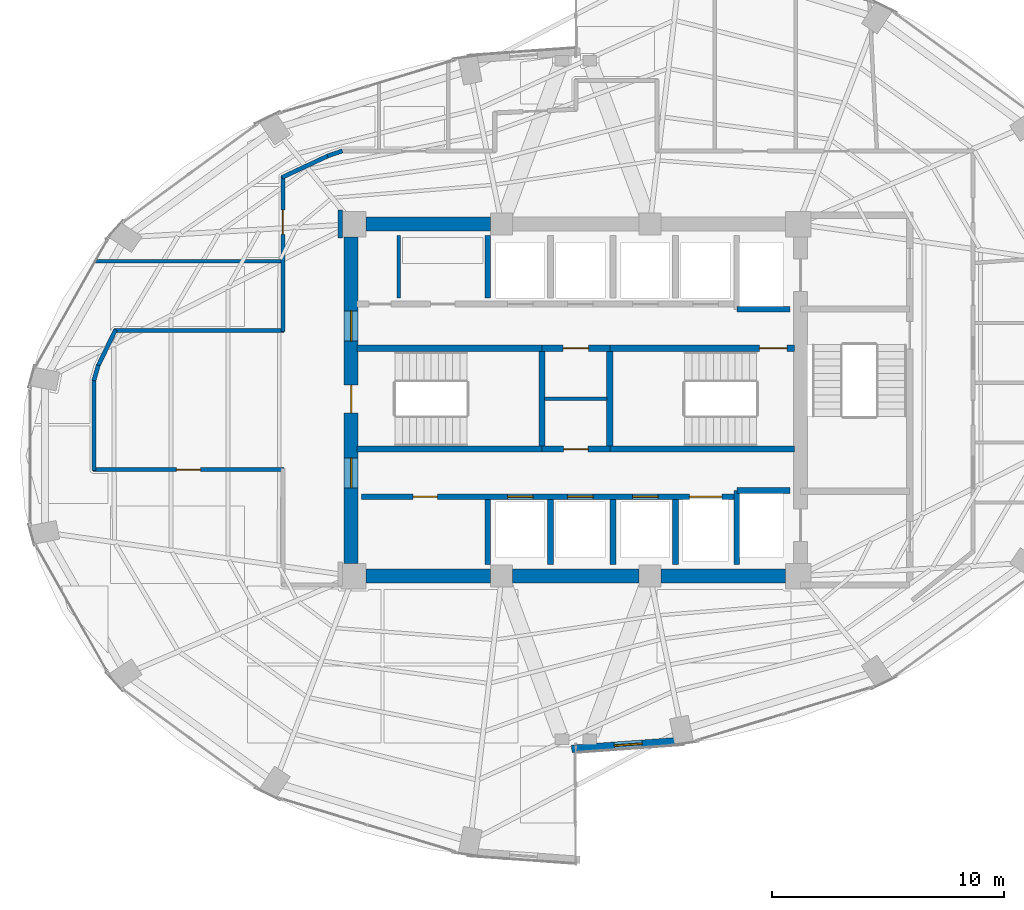
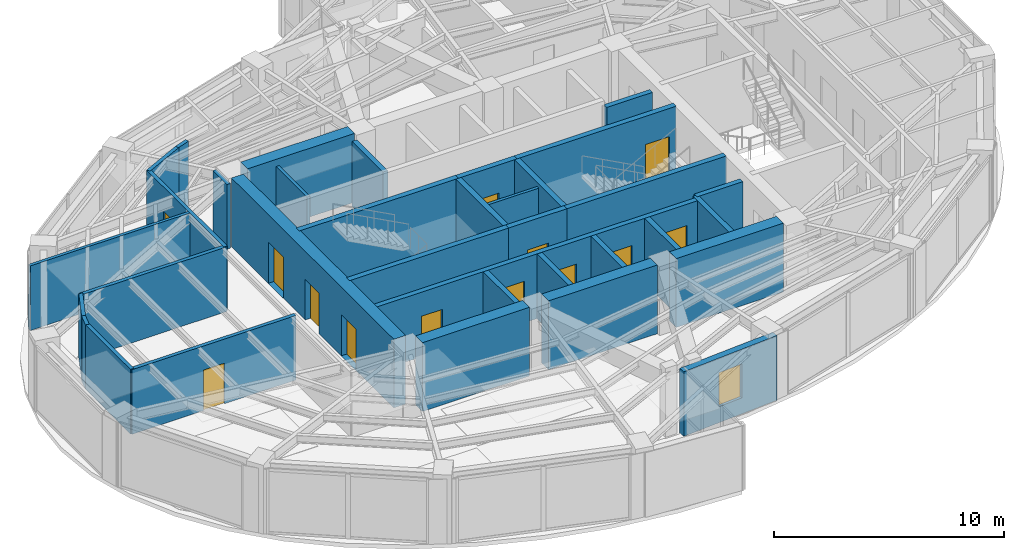
# One storey, part 16 of 20: 35 walls, 13 doors, 1 window, 14 openings.
"""IFC4 building model written with IfcOpenShell, lengths in metres."""

from ifc_helpers import new_model, si_unit, direction, frame, frame_2d, origin, place, context, subcontext, project, spatial, rectangle, extrude, material, layer, layer_set, type_object, element, fill, save


model = new_model("IFC4")

# Units and contexts
model_context = context("Model", 3, precision=1e-05, world=origin(), true_north=direction((0.0, 1.0)))
body_context = subcontext(model_context, "Body", "Model", "MODEL_VIEW")
ifc_project = project(units=[si_unit("LENGTHUNIT", "METRE"), si_unit("AREAUNIT", "SQUARE_METRE"), si_unit("VOLUMEUNIT", "CUBIC_METRE"), si_unit("PLANEANGLEUNIT", "RADIAN"), si_unit("MASSUNIT", "GRAM", prefix="KILO")], contexts=[model_context])

# Site, building, storey
site_placement = place(None, origin())
site = spatial("IfcSite", under=ifc_project, at=site_placement, CompositionType="ELEMENT")
building_placement = place(site_placement, origin())
building = spatial("IfcBuilding", under=site, at=building_placement, Name="Lazwardi Medical Tower", CompositionType="ELEMENT")
storey_placement = place(building_placement, frame((0.0, 0.0, 156.528076171875)))
storey = spatial("IfcBuildingStorey", under=building, at=storey_placement, Name="L40", CompositionType="ELEMENT", Elevation=156.528076171875)

# Walls
ifc_material_1 = material(Name="Fire-rated gypsum board on steel stud", Category="steel")
ifc_layer_1 = layer(ifc_material_1, 0.179931640625)
ifc_layer_set_1 = layer_set([ifc_layer_1], Name="Fire-rated gypsum board on steel stud")
wall_type_1 = type_object("IfcWallType", Name="WL-COR-180", PredefinedType="PARTITIONING", material=ifc_layer_set_1)
wall_1_placement = place(storey_placement, frame((15.350341796875, 29.435791015625, 0.0), z_axis=(0.0, 0.0, 1.0), x_axis=(0.436196025907, 0.899851669434, 0.0)))
element("IfcWall", 1, at=wall_1_placement, inside=storey, type_object=wall_type_1, Name="L40 Corridor partition 1", PredefinedType="PARTITIONING", context=body_context, shape_type="SweptSolid", body=[
    extrude(rectangle(XDim=1.778076171875, YDim=0.179931640625, at=frame_2d((0.88916015625, 0.0))), origin(), (0.0, 0.0, 1.0), 3.427978515625),
])
wall_2_placement = place(storey_placement, frame((16.068359375, 31.0, 0.0), z_axis=(0.0, 0.0, 1.0), x_axis=(1.0, 0.0, 0.0)))
element("IfcWall", 2, at=wall_2_placement, inside=storey, type_object=wall_type_1, Name="L40 Corridor partition 2", PredefinedType="PARTITIONING", context=body_context, shape_type="SweptSolid", body=[
    extrude(rectangle(XDim=7.321533203125, YDim=0.179931640625, at=frame_2d((3.66064453125, 0.0))), origin(), (0.0, 0.0, 1.0), 3.427978515625),
])

# Wall, opening, door
wall_3_placement = place(storey_placement, frame((23.35009765625, 30.9599609375, 0.0), z_axis=(0.0, 0.0, 1.0), x_axis=(0.0, 1.0, 0.0)))
wall_3 = element("IfcWall", 3, at=wall_3_placement, inside=storey, type_object=wall_type_1, Name="L40 Corridor partition 3", PredefinedType="PARTITIONING", context=body_context, shape_type="SweptSolid", body=[
    extrude(rectangle(XDim=6.7138671875, YDim=0.179931640625, at=frame_2d((3.35693359375, 0.0))), origin(), (0.0, 0.0, 1.0), 3.427978515625),
])
opening_1_placement = place(wall_3_placement, frame((4.19287109375, 0.0, 0.0)))
opening_1 = element("IfcOpeningElement", 4, at=opening_1_placement, cuts=wall_3, Name="Opening D-L40-020", PredefinedType="OPENING", context=body_context, shape_type="SweptSolid", body=[
    extrude(rectangle(XDim=1.050048828125, YDim=2.14990234375, at=frame_2d((0.52490234375, 1.074951171875))), frame((0.0, 0.099853515625, 0.0), z_axis=(0.0, -1.0, 0.0), x_axis=(1.0, 0.0, 0.0)), (0.0, 0.0, 1.0), 0.199951171875),
])
ifc_material_2 = material(Name="Anti-microbial laminate hospital leaf")
door_type_1 = type_object("IfcDoorType", Name="DR-CLN-1050", OperationType="NOTDEFINED", PredefinedType="DOOR", material=ifc_material_2)
door_1_placement = place(opening_1_placement, origin())
door_1 = element("IfcDoor", 5, at=door_1_placement, inside=storey, type_object=door_type_1, Name="L40 Outpatient Consultation Suite Door 11", OperationType="SINGLE_SWING_RIGHT", OverallHeight=2.14990234375, OverallWidth=1.050048828125, PredefinedType="DOOR", context=body_context, shape_type="SweptSolid", body=[
    extrude(rectangle(XDim=1.050048828125, YDim=2.14990234375, at=frame_2d((0.52490234375, 1.074951171875))), frame((0.0, 0.02490234375, 0.0), z_axis=(0.0, -1.0, 0.0), x_axis=(1.0, 0.0, 0.0)), (0.0, 0.0, 1.0), 0.050048828125),
])
fill(opening_1, door_1)

# Walls
wall_4_placement = place(storey_placement, frame((23.313720703125, 37.616943359375, 0.0), z_axis=(0.0, 0.0, 1.0), x_axis=(0.905731790856, 0.423851298255, 0.0)))
element("IfcWall", 6, at=wall_4_placement, inside=storey, type_object=wall_type_1, Name="L40 Corridor partition 4", PredefinedType="PARTITIONING", context=body_context, shape_type="SweptSolid", body=[
    extrude(rectangle(XDim=2.255126953125, YDim=0.179931640625, at=frame_2d((1.12744140625, 0.0))), origin(), (0.0, 0.0, 1.0), 3.427978515625),
])
wall_5_placement = place(storey_placement, frame((25.2822265625, 38.54248046875, 0.0), z_axis=(0.0, 0.0, 1.0), x_axis=(0.94508059942, 0.326837361085, 0.0)))
element("IfcWall", 7, at=wall_5_placement, inside=storey, type_object=wall_type_1, Name="L40 Corridor partition 5", PredefinedType="PARTITIONING", context=body_context, shape_type="SweptSolid", body=[
    extrude(rectangle(XDim=0.67529296875, YDim=0.179931640625, at=frame_2d((0.337646484375, 0.0))), origin(), (0.0, 0.0, 1.0), 3.427978515625),
])
wall_6_placement = place(storey_placement, frame((25.830078125, 36.2099609375, 0.0), z_axis=(0.0, 0.0, 1.0), x_axis=(0.0, -1.0, 0.0)))
element("IfcWall", 8, at=wall_6_placement, inside=storey, type_object=wall_type_1, Name="L40 Corridor partition 15", PredefinedType="PARTITIONING", context=body_context, shape_type="SweptSolid", body=[
    extrude(rectangle(XDim=1.219970703125, YDim=0.179931640625, at=frame_2d((0.60986328125, 0.0))), origin(), (0.0, 0.0, 1.0), 3.427978515625),
])

# Wall, opening, door
wall_7_placement = place(storey_placement, frame((23.389892578125, 25.0, 0.0), z_axis=(0.0, 0.0, 1.0), x_axis=(-1.0, 0.0, 0.0)))
wall_7 = element("IfcWall", 9, at=wall_7_placement, inside=storey, type_object=wall_type_1, Name="L40 Corridor partition 19", PredefinedType="PARTITIONING", context=body_context, shape_type="SweptSolid", body=[
    extrude(rectangle(XDim=8.22998046875, YDim=0.179931640625, at=frame_2d((4.114990234375, 0.0))), origin(), (0.0, 0.0, 1.0), 3.427978515625),
])
opening_2_placement = place(wall_7_placement, frame((3.590087890625, 0.0, 0.0)))
opening_2 = element("IfcOpeningElement", 10, at=opening_2_placement, cuts=wall_7, Name="Opening D-L40-010", PredefinedType="OPENING", context=body_context, shape_type="SweptSolid", body=[
    extrude(rectangle(XDim=1.050048828125, YDim=2.14990234375, at=frame_2d((0.52490234375, 1.074951171875))), frame((0.0, 0.099853515625, 0.0), z_axis=(0.0, -1.0, 0.0), x_axis=(1.0, 0.0, 0.0)), (0.0, 0.0, 1.0), 0.199951171875),
])
door_2_placement = place(opening_2_placement, origin())
door_2 = element("IfcDoor", 11, at=door_2_placement, inside=storey, type_object=door_type_1, Name="L40 Outpatient Consultation Suite Door 01", OperationType="SINGLE_SWING_RIGHT", OverallHeight=2.14990234375, OverallWidth=1.050048828125, PredefinedType="DOOR", context=body_context, shape_type="SweptSolid", body=[
    extrude(rectangle(XDim=1.050048828125, YDim=2.14990234375, at=frame_2d((0.52490234375, 1.074951171875))), frame((0.0, 0.02490234375, 0.0), z_axis=(0.0, -1.0, 0.0), x_axis=(1.0, 0.0, 0.0)), (0.0, 0.0, 1.0), 0.050048828125),
])
fill(opening_2, door_2)

# Walls
wall_8_placement = place(storey_placement, frame((15.199951171875, 24.9599609375, 0.0), z_axis=(0.0, 0.0, 1.0), x_axis=(0.0, 1.0, 0.0)))
element("IfcWall", 12, at=wall_8_placement, inside=storey, type_object=wall_type_1, Name="L40 Corridor partition 20", PredefinedType="PARTITIONING", context=body_context, shape_type="SweptSolid", body=[
    extrude(rectangle(XDim=3.961181640625, YDim=0.179931640625, at=frame_2d((1.98046875, 0.0))), origin(), (0.0, 0.0, 1.0), 3.427978515625),
])
wall_9_placement = place(storey_placement, frame((15.189208984375, 28.842529296875, 0.0), z_axis=(0.0, 0.0, 1.0), x_axis=(0.272862960331, 0.962052911684, 0.0)))
element("IfcWall", 13, at=wall_9_placement, inside=storey, type_object=wall_type_1, Name="L40 Corridor partition 21", PredefinedType="PARTITIONING", context=body_context, shape_type="SweptSolid", body=[
    extrude(rectangle(XDim=0.6943359375, YDim=0.179931640625, at=frame_2d((0.34716796875, 0.0))), origin(), (0.0, 0.0, 1.0), 3.427978515625),
])

# Wall, openings, doors
ifc_material_3 = material(Name="Concrete C60/75", Category="concrete")
ifc_layer_2 = layer(ifc_material_3, 0.60009765625)
ifc_layer_set_2 = layer_set([ifc_layer_2], Name="Concrete C60/75")
wall_type_2 = type_object("IfcWallType", Name="WL-CORE-600", PredefinedType="SHEAR", material=ifc_layer_set_2)
wall_10_placement = place(storey_placement, frame((26.300048828125, 20.949951171875, 0.0), z_axis=(0.0, 0.0, 1.0), x_axis=(0.0, 1.0, 0.0)))
wall_10 = element("IfcWall", 14, at=wall_10_placement, inside=storey, type_object=wall_type_2, Name="Core wall CW-S3 west L40", PredefinedType="SHEAR", context=body_context, shape_type="SweptSolid", body=[
    extrude(rectangle(XDim=14.10009765625, YDim=0.60009765625, at=frame_2d((7.050048828125, 0.0))), origin(), (0.0, 0.0, 1.0), 3.64794921875),
])
opening_3_placement = place(wall_10_placement, frame((6.5, 0.0, 0.0)))
opening_3 = element("IfcOpeningElement", 15, at=opening_3_placement, cuts=wall_10, Name="Opening D-L40-021", PredefinedType="OPENING", context=body_context, shape_type="SweptSolid", body=[
    extrude(rectangle(XDim=1.199951171875, YDim=2.14990234375, at=frame_2d((0.60009765625, 1.074951171875))), frame((0.0, 0.31005859375, 0.0), z_axis=(0.0, -1.0, 0.0), x_axis=(1.0, 0.0, 0.0)), (0.0, 0.0, 1.0), 0.6201171875),
])
opening_4_placement = place(wall_10_placement, frame((9.60009765625, 0.0, 0.0)))
opening_4 = element("IfcOpeningElement", 16, at=opening_4_placement, cuts=wall_10, Name="Opening D-L40-008", PredefinedType="OPENING", context=body_context, shape_type="SweptSolid", body=[
    extrude(rectangle(XDim=1.300048828125, YDim=2.199951171875, at=frame_2d((0.64990234375, 1.10009765625))), frame((0.0, 0.31005859375, 0.0), z_axis=(0.0, -1.0, 0.0), x_axis=(1.0, 0.0, 0.0)), (0.0, 0.0, 1.0), 0.6201171875),
])
opening_5_placement = place(wall_10_placement, frame((3.260009765625, 0.0, 0.0)))
opening_5 = element("IfcOpeningElement", 17, at=opening_5_placement, cuts=wall_10, Name="Opening D-L40-009", PredefinedType="OPENING", context=body_context, shape_type="SweptSolid", body=[
    extrude(rectangle(XDim=1.300048828125, YDim=2.199951171875, at=frame_2d((0.64990234375, 1.10009765625))), frame((0.0, 0.31005859375, 0.0), z_axis=(0.0, -1.0, 0.0), x_axis=(1.0, 0.0, 0.0)), (0.0, 0.0, 1.0), 0.6201171875),
])
ifc_material_4 = material(Name="Fire-rated steel leaf and frame", Category="steel")
door_type_2 = type_object("IfcDoorType", Name="DR-FFL-1300", OperationType="NOTDEFINED", PredefinedType="DOOR", material=ifc_material_4)
door_3_placement = place(opening_4_placement, origin())
door_3 = element("IfcDoor", 18, at=door_3_placement, inside=storey, type_object=door_type_2, Name="L40 North Lift Lobby Door", OperationType="SINGLE_SWING_RIGHT", OverallHeight=2.199951171875, OverallWidth=1.300048828125, PredefinedType="DOOR", context=body_context, shape_type="SweptSolid", body=[
    extrude(rectangle(XDim=1.300048828125, YDim=2.199951171875, at=frame_2d((0.64990234375, 1.10009765625))), frame((0.0, 0.02490234375, 0.0), z_axis=(0.0, -1.0, 0.0), x_axis=(1.0, 0.0, 0.0)), (0.0, 0.0, 1.0), 0.050048828125),
])
fill(opening_4, door_3)
door_4_placement = place(opening_5_placement, origin())
door_4 = element("IfcDoor", 19, at=door_4_placement, inside=storey, type_object=door_type_2, Name="L40 South Lift Lobby Door", OperationType="SINGLE_SWING_LEFT", OverallHeight=2.199951171875, OverallWidth=1.300048828125, PredefinedType="DOOR", context=body_context, shape_type="SweptSolid", body=[
    extrude(rectangle(XDim=1.300048828125, YDim=2.199951171875, at=frame_2d((0.64990234375, 1.10009765625))), frame((0.0, 0.02490234375, 0.0), z_axis=(0.0, -1.0, 0.0), x_axis=(1.0, 0.0, 0.0)), (0.0, 0.0, 1.0), 0.050048828125),
])
fill(opening_5, door_4)
door_type_3 = type_object("IfcDoorType", Name="DR-STR-1200", OperationType="NOTDEFINED", PredefinedType="DOOR", material=ifc_material_4)
door_5_placement = place(opening_3_placement, origin())
door_5 = element("IfcDoor", 20, at=door_5_placement, inside=storey, type_object=door_type_3, Name="L40 Exit Stair ST1 Door", OperationType="SINGLE_SWING_RIGHT", OverallHeight=2.14990234375, OverallWidth=1.199951171875, PredefinedType="DOOR", context=body_context, shape_type="SweptSolid", body=[
    extrude(rectangle(XDim=1.199951171875, YDim=2.14990234375, at=frame_2d((0.60009765625, 1.074951171875))), frame((0.0, 0.02490234375, 0.0), z_axis=(0.0, -1.0, 0.0), x_axis=(1.0, 0.0, 0.0)), (0.0, 0.0, 1.0), 0.050048828125),
])
fill(opening_3, door_5)

# Walls
for number, where, z_axis, x_axis, name in (
    (21, (26.949951171875, 20.39990234375, 0.0), (0.0, 0.0, 1.0), (1.0, 0.0, 0.0), "Core wall CW-S3 S1 L40"),
    (22, (26.949951171875, 35.60009765625, 0.0), (0.0, 0.0, 1.0), (1.0, 0.0, 0.0), "Core wall CW-S3 N1 L40"),
):
    element("IfcWall", number, at=place(storey_placement, frame(where, z_axis=z_axis, x_axis=x_axis)), inside=storey, type_object=wall_type_2, Name=name, PredefinedType="SHEAR", context=body_context, shape_type="SweptSolid", body=[
        extrude(rectangle(XDim=5.375, YDim=0.60009765625, at=frame_2d((2.6875, 0.0))), origin(), (0.0, 0.0, 1.0), 3.64794921875),
    ])
wall_11_placement = place(storey_placement, frame((33.27490234375, 20.39990234375, 0.0), z_axis=(0.0, 0.0, 1.0), x_axis=(1.0, 0.0, 0.0)))
element("IfcWall", 23, at=wall_11_placement, inside=storey, type_object=wall_type_2, Name="Core wall CW-S3 S2 L40", PredefinedType="SHEAR", context=body_context, shape_type="SweptSolid", body=[
    extrude(rectangle(XDim=5.4501953125, YDim=0.60009765625, at=frame_2d((2.72509765625, 0.0))), origin(), (0.0, 0.0, 1.0), 3.64794921875),
])
wall_12_placement = place(storey_placement, frame((39.675048828125, 20.39990234375, 0.0), z_axis=(0.0, 0.0, 1.0), x_axis=(1.0, 0.0, 0.0)))
element("IfcWall", 24, at=wall_12_placement, inside=storey, type_object=wall_type_2, Name="Core wall CW-S3 S3 L40", PredefinedType="SHEAR", context=body_context, shape_type="SweptSolid", body=[
    extrude(rectangle(XDim=5.375, YDim=0.60009765625, at=frame_2d((2.6875, 0.0))), origin(), (0.0, 0.0, 1.0), 3.64794921875),
])

# Wall, opening, window
ifc_material_5 = material(Name="Precast concrete C45/55", Category="concrete")
ifc_layer_3 = layer(ifc_material_5, 0.320068359375)
ifc_layer_set_3 = layer_set([ifc_layer_3], Name="Precast concrete C45/55")
wall_type_3 = type_object("IfcWallType", Name="WL-IWAN-320", PredefinedType="SOLIDWALL", material=ifc_layer_set_3)
wall_13_placement = place(storey_placement, frame((35.820556640625, 12.947021484375, 0.0), z_axis=(0.0, 0.0, 1.0), x_axis=(0.997415460462, 0.071849838072, 0.0)))
wall_13 = element("IfcWall", 25, at=wall_13_placement, inside=storey, type_object=wall_type_3, Name="L40 Iwan Portal Return Wall SE_ret", PredefinedType="SOLIDWALL", context=body_context, shape_type="SweptSolid", body=[
    extrude(rectangle(XDim=4.89306640625, YDim=0.320068359375, at=frame_2d((2.446533203125, 0.0))), origin(), (0.0, 0.0, 1.0), 3.427978515625),
])
opening_6_placement = place(wall_13_placement, frame((1.846435546875, 0.0, 0.85009765625)))
opening_6 = element("IfcOpeningElement", 26, at=opening_6_placement, cuts=wall_13, Name="Opening WN-04", PredefinedType="OPENING", context=body_context, shape_type="SweptSolid", body=[
    extrude(rectangle(XDim=1.199951171875, YDim=1.800048828125, at=frame_2d((0.60009765625, 0.89990234375))), frame((0.0, 0.169921875, 0.0), z_axis=(0.0, -1.0, 0.0), x_axis=(1.0, 0.0, 0.0)), (0.0, 0.0, 1.0), 0.340087890625),
])
ifc_material_6 = material(Name="Low-e bronze solar control double glazing", Category="glass")
window_type = type_object("IfcWindowType", Name="WIN-DRUM-1200", PartitioningType="SINGLE_PANEL", PredefinedType="WINDOW", material=ifc_material_6)
window_placement = place(opening_6_placement, origin())
window = element("IfcWindow", 27, at=window_placement, inside=storey, type_object=window_type, Name="L40 Iwan Slot Window SE_ret", OverallHeight=1.800048828125, OverallWidth=1.199951171875, PartitioningType="SINGLE_PANEL", PredefinedType="WINDOW", context=body_context, shape_type="SweptSolid", body=[
    extrude(rectangle(XDim=1.199951171875, YDim=1.800048828125, at=frame_2d((0.60009765625, 0.89990234375))), frame((0.0, 0.030029296875, 0.0), z_axis=(0.0, -1.0, 0.0), x_axis=(1.0, 0.0, 0.0)), (0.0, 0.0, 1.0), 0.06005859375),
])
fill(opening_6, window)

# Wall, openings, doors
ifc_material_7 = material(Name="Autoclaved aerated concrete blockwork", Category="masonry")
ifc_layer_4 = layer(ifc_material_7, 0.25)
ifc_layer_set_4 = layer_set([ifc_layer_4], Name="Autoclaved aerated concrete blockwork")
wall_type_4 = type_object("IfcWallType", Name="WL-SHAFT-250", PredefinedType="SOLIDWALL", material=ifc_layer_set_4)
wall_14_placement = place(storey_placement, frame((26.75, 23.830078125, 0.0), z_axis=(0.0, 0.0, 1.0), x_axis=(1.0, 0.0, 0.0)))
wall_14 = element("IfcWall", 28, at=wall_14_placement, inside=storey, type_object=wall_type_4, Name="L40 South lift bank front wall", PredefinedType="SOLIDWALL", context=body_context, shape_type="SweptSolid", body=[
    extrude(rectangle(XDim=16.199951171875, YDim=0.25, at=frame_2d((8.10009765625, 0.0))), origin(), (0.0, 0.0, 1.0), 3.427978515625),
])
opening_7_placement = place(wall_14_placement, frame((2.22509765625, 0.0, 0.0)))
opening_7 = element("IfcOpeningElement", 29, at=opening_7_placement, cuts=wall_14, Name="Opening D-L40-005", PredefinedType="OPENING", context=body_context, shape_type="SweptSolid", body=[
    extrude(rectangle(XDim=1.050048828125, YDim=2.14990234375, at=frame_2d((0.52490234375, 1.074951171875))), frame((0.0, 0.135009765625, 0.0), z_axis=(0.0, -1.0, 0.0), x_axis=(1.0, 0.0, 0.0)), (0.0, 0.0, 1.0), 0.27001953125),
])
opening_8_placement = place(wall_14_placement, frame((6.300048828125, 0.0, 0.0)))
opening_8 = element("IfcOpeningElement", 30, at=opening_8_placement, cuts=wall_14, Name="Opening LD-L40-006", PredefinedType="OPENING", context=body_context, shape_type="SweptSolid", body=[
    extrude(rectangle(XDim=1.10009765625, YDim=2.199951171875, at=frame_2d((0.550048828125, 1.10009765625))), frame((0.0, 0.135009765625, 0.0), z_axis=(0.0, -1.0, 0.0), x_axis=(1.0, 0.0, 0.0)), (0.0, 0.0, 1.0), 0.27001953125),
])
opening_9_placement = place(wall_14_placement, frame((8.89990234375, 0.0, 0.0)))
opening_9 = element("IfcOpeningElement", 31, at=opening_9_placement, cuts=wall_14, Name="Opening LD-L40-007", PredefinedType="OPENING", context=body_context, shape_type="SweptSolid", body=[
    extrude(rectangle(XDim=1.10009765625, YDim=2.199951171875, at=frame_2d((0.550048828125, 1.10009765625))), frame((0.0, 0.135009765625, 0.0), z_axis=(0.0, -1.0, 0.0), x_axis=(1.0, 0.0, 0.0)), (0.0, 0.0, 1.0), 0.27001953125),
])
opening_10_placement = place(wall_14_placement, frame((11.699951171875, 0.0, 0.0)))
opening_10 = element("IfcOpeningElement", 32, at=opening_10_placement, cuts=wall_14, Name="Opening LD-L40-010", PredefinedType="OPENING", context=body_context, shape_type="SweptSolid", body=[
    extrude(rectangle(XDim=1.10009765625, YDim=2.199951171875, at=frame_2d((0.550048828125, 1.10009765625))), frame((0.0, 0.135009765625, 0.0), z_axis=(0.0, -1.0, 0.0), x_axis=(1.0, 0.0, 0.0)), (0.0, 0.0, 1.0), 0.27001953125),
])
opening_11_placement = place(wall_14_placement, frame((14.14990234375, 0.0, 0.0)))
opening_11 = element("IfcOpeningElement", 33, at=opening_11_placement, cuts=wall_14, Name="Opening LD-L40-003", PredefinedType="OPENING", context=body_context, shape_type="SweptSolid", body=[
    extrude(rectangle(XDim=1.39990234375, YDim=2.300048828125, at=frame_2d((0.699951171875, 1.14990234375))), frame((0.0, 0.135009765625, 0.0), z_axis=(0.0, -1.0, 0.0), x_axis=(1.0, 0.0, 0.0)), (0.0, 0.0, 1.0), 0.27001953125),
])
door_6_placement = place(opening_7_placement, origin())
door_6 = element("IfcDoor", 34, at=door_6_placement, inside=storey, type_object=door_type_1, Name="L40 Medication Door", OperationType="SINGLE_SWING_RIGHT", OverallHeight=2.14990234375, OverallWidth=1.050048828125, PredefinedType="DOOR", context=body_context, shape_type="SweptSolid", body=[
    extrude(rectangle(XDim=1.050048828125, YDim=2.14990234375, at=frame_2d((0.52490234375, 1.074951171875))), frame((0.0, 0.02490234375, 0.0), z_axis=(0.0, -1.0, 0.0), x_axis=(1.0, 0.0, 0.0)), (0.0, 0.0, 1.0), 0.050048828125),
])
fill(opening_7, door_6)
ifc_material_8 = material(Name="Brushed bronze stainless steel landing door", Category="steel")
door_type_4 = type_object("IfcDoorType", Name="DR-LFT-1100", OperationType="NOTDEFINED", PredefinedType="DOOR", material=ifc_material_8)
door_7_placement = place(opening_8_placement, origin())
door_7 = element("IfcDoor", 35, at=door_7_placement, inside=storey, type_object=door_type_4, Name="L40 Lift Landing Door PL-07", OperationType="SLIDING_TO_LEFT", OverallHeight=2.199951171875, OverallWidth=1.10009765625, PredefinedType="DOOR", context=body_context, shape_type="SweptSolid", body=[
    extrude(rectangle(XDim=1.10009765625, YDim=2.199951171875, at=frame_2d((0.550048828125, 1.10009765625))), frame((0.0, 0.02490234375, 0.0), z_axis=(0.0, -1.0, 0.0), x_axis=(1.0, 0.0, 0.0)), (0.0, 0.0, 1.0), 0.050048828125),
])
fill(opening_8, door_7)
door_8_placement = place(opening_9_placement, origin())
door_8 = element("IfcDoor", 36, at=door_8_placement, inside=storey, type_object=door_type_4, Name="L40 Lift Landing Door PL-08", OperationType="SLIDING_TO_LEFT", OverallHeight=2.199951171875, OverallWidth=1.10009765625, PredefinedType="DOOR", context=body_context, shape_type="SweptSolid", body=[
    extrude(rectangle(XDim=1.10009765625, YDim=2.199951171875, at=frame_2d((0.550048828125, 1.10009765625))), frame((0.0, 0.02490234375, 0.0), z_axis=(0.0, -1.0, 0.0), x_axis=(1.0, 0.0, 0.0)), (0.0, 0.0, 1.0), 0.050048828125),
])
fill(opening_9, door_8)
door_9_placement = place(opening_10_placement, origin())
door_9 = element("IfcDoor", 37, at=door_9_placement, inside=storey, type_object=door_type_4, Name="L40 Lift Landing Door PL-11", OperationType="SLIDING_TO_LEFT", OverallHeight=2.199951171875, OverallWidth=1.10009765625, PredefinedType="DOOR", context=body_context, shape_type="SweptSolid", body=[
    extrude(rectangle(XDim=1.10009765625, YDim=2.199951171875, at=frame_2d((0.550048828125, 1.10009765625))), frame((0.0, 0.02490234375, 0.0), z_axis=(0.0, -1.0, 0.0), x_axis=(1.0, 0.0, 0.0)), (0.0, 0.0, 1.0), 0.050048828125),
])
fill(opening_10, door_9)
ifc_material_9 = material(Name="Brushed stainless steel bed-lift landing door", Category="steel")
door_type_5 = type_object("IfcDoorType", Name="DR-LFT-1400", OperationType="NOTDEFINED", PredefinedType="DOOR", material=ifc_material_9)
door_10_placement = place(opening_11_placement, origin())
door_10 = element("IfcDoor", 38, at=door_10_placement, inside=storey, type_object=door_type_5, Name="L40 Lift Landing Door FL-03", OperationType="SLIDING_TO_LEFT", OverallHeight=2.300048828125, OverallWidth=1.39990234375, PredefinedType="DOOR", context=body_context, shape_type="SweptSolid", body=[
    extrude(rectangle(XDim=1.39990234375, YDim=2.300048828125, at=frame_2d((0.699951171875, 1.14990234375))), frame((0.0, 0.02490234375, 0.0), z_axis=(0.0, -1.0, 0.0), x_axis=(1.0, 0.0, 0.0)), (0.0, 0.0, 1.0), 0.050048828125),
])
fill(opening_11, door_10)

# Walls
wall_15_placement = place(storey_placement, frame((42.949951171875, 31.919921875, 0.0), z_axis=(0.0, 0.0, 1.0), x_axis=(1.0, 0.0, 0.0)))
element("IfcWall", 39, at=wall_15_placement, inside=storey, type_object=wall_type_4, Name="L40 FL-01 South shaft wall", PredefinedType="SOLIDWALL", context=body_context, shape_type="SweptSolid", body=[
    extrude(rectangle(XDim=2.300048828125, YDim=0.25, at=frame_2d((1.14990234375, 0.0))), origin(), (0.0, 0.0, 1.0), 3.427978515625),
])
wall_16_placement = place(storey_placement, frame((42.949951171875, 20.89990234375, 0.0), z_axis=(0.0, 0.0, 1.0), x_axis=(0.0, 1.0, 0.0)))
element("IfcWall", 40, at=wall_16_placement, inside=storey, type_object=wall_type_4, Name="L40 FL-02 West shaft wall", PredefinedType="SOLIDWALL", context=body_context, shape_type="SweptSolid", body=[
    extrude(rectangle(XDim=3.2001953125, YDim=0.25, at=frame_2d((1.60009765625, 0.0))), origin(), (0.0, 0.0, 1.0), 3.427978515625),
])
wall_17_placement = place(storey_placement, frame((42.949951171875, 24.10009765625, 0.0), z_axis=(0.0, 0.0, 1.0), x_axis=(1.0, 0.0, 0.0)))
element("IfcWall", 41, at=wall_17_placement, inside=storey, type_object=wall_type_4, Name="L40 FL-02 North shaft wall", PredefinedType="SOLIDWALL", context=body_context, shape_type="SweptSolid", body=[
    extrude(rectangle(XDim=2.300048828125, YDim=0.25, at=frame_2d((1.14990234375, 0.0))), origin(), (0.0, 0.0, 1.0), 3.427978515625),
])
wall_18_placement = place(storey_placement, frame((32.199951171875, 32.419921875, 0.0), z_axis=(0.0, 0.0, 1.0), x_axis=(0.0, 1.0, 0.0)))
element("IfcWall", 42, at=wall_18_placement, inside=storey, type_object=wall_type_4, Name="L40 North hoistway divider", PredefinedType="SOLIDWALL", context=body_context, shape_type="SweptSolid", body=[
    extrude(rectangle(XDim=2.68017578125, YDim=0.25, at=frame_2d((1.340087890625, 0.0))), origin(), (0.0, 0.0, 1.0), 3.427978515625),
])
for number, where, z_axis, x_axis, name in (
    (43, (32.199951171875, 20.89990234375, 0.0), (0.0, 0.0, 1.0), (0.0, 1.0, 0.0), "L40 South hoistway divider"),
    (44, (34.89990234375, 20.89990234375, 0.0), (0.0, 0.0, 1.0), (0.0, 1.0, 0.0), "L40 South hoistway divider"),
    (45, (37.60009765625, 20.89990234375, 0.0), (0.0, 0.0, 1.0), (0.0, 1.0, 0.0), "L40 South hoistway divider"),
    (46, (40.300048828125, 20.89990234375, 0.0), (0.0, 0.0, 1.0), (0.0, 1.0, 0.0), "L40 South hoistway divider"),
):
    element("IfcWall", number, at=place(storey_placement, frame(where, z_axis=z_axis, x_axis=x_axis)), inside=storey, type_object=wall_type_4, Name=name, PredefinedType="SOLIDWALL", context=body_context, shape_type="SweptSolid", body=[
        extrude(rectangle(XDim=2.800048828125, YDim=0.25, at=frame_2d((1.39990234375, 0.0))), origin(), (0.0, 0.0, 1.0), 3.427978515625),
    ])
ifc_material_10 = material(Name="Concrete C50/60", Category="concrete")
ifc_layer_5 = layer(ifc_material_10, 0.27001953125)
ifc_layer_set_5 = layer_set([ifc_layer_5], Name="Concrete C50/60")
wall_type_5 = type_object("IfcWallType", Name="WL-STR-250", PredefinedType="SHEAR", material=ifc_layer_set_5)
wall_19_placement = place(storey_placement, frame((26.550048828125, 30.235107421875, 0.0), z_axis=(0.0, 0.0, 1.0), x_axis=(1.0, 0.0, 0.0)))
element("IfcWall", 47, at=wall_19_placement, inside=storey, type_object=wall_type_5, Name="L40 ST1 North shear shaft wall SW-S1", PredefinedType="SHEAR", context=body_context, shape_type="SweptSolid", body=[
    extrude(rectangle(XDim=7.98486328125, YDim=0.27001953125, at=frame_2d((3.992431640625, 0.0))), origin(), (0.0, 0.0, 1.0), 3.64794921875),
])

# Wall, opening, door
wall_20_placement = place(storey_placement, frame((34.534912109375, 30.235107421875, 0.0), z_axis=(0.0, 0.0, 1.0), x_axis=(1.0, 0.0, 0.0)))
wall_20 = element("IfcWall", 48, at=wall_20_placement, inside=storey, type_object=wall_type_5, Name="L40 Core service North shear wall SW-S1", PredefinedType="SHEAR", context=body_context, shape_type="SweptSolid", body=[
    extrude(rectangle(XDim=2.93017578125, YDim=0.27001953125, at=frame_2d((1.465087890625, 0.0))), origin(), (0.0, 0.0, 1.0), 3.64794921875),
])
opening_12_placement = place(wall_20_placement, frame((0.9150390625, 0.0, 0.0)))
opening_12 = element("IfcOpeningElement", 49, at=opening_12_placement, cuts=wall_20, Name="Opening D-L40-002", PredefinedType="OPENING", context=body_context, shape_type="SweptSolid", body=[
    extrude(rectangle(XDim=1.10009765625, YDim=2.14990234375, at=frame_2d((0.550048828125, 1.074951171875))), frame((0.0, 0.14501953125, 0.0), z_axis=(0.0, -1.0, 0.0), x_axis=(1.0, 0.0, 0.0)), (0.0, 0.0, 1.0), 0.2900390625),
])
door_type_6 = type_object("IfcDoorType", Name="DR-PLT-1100", OperationType="NOTDEFINED", PredefinedType="DOOR", material=ifc_material_4)
door_11_placement = place(opening_12_placement, origin())
door_11 = element("IfcDoor", 50, at=door_11_placement, inside=storey, type_object=door_type_6, Name="L40 Electrical Room Door", OperationType="SINGLE_SWING_LEFT", OverallHeight=2.14990234375, OverallWidth=1.10009765625, PredefinedType="DOOR", context=body_context, shape_type="SweptSolid", body=[
    extrude(rectangle(XDim=1.10009765625, YDim=2.14990234375, at=frame_2d((0.550048828125, 1.074951171875))), frame((0.0, 0.02490234375, 0.0), z_axis=(0.0, -1.0, 0.0), x_axis=(1.0, 0.0, 0.0)), (0.0, 0.0, 1.0), 0.050048828125),
])
fill(opening_12, door_11)

wall_21_placement = place(storey_placement, frame((37.465087890625, 30.235107421875, 0.0), z_axis=(0.0, 0.0, 1.0), x_axis=(1.0, 0.0, 0.0)))
wall_21 = element("IfcWall", 51, at=wall_21_placement, inside=storey, type_object=wall_type_5, Name="L40 ST2 North shear shaft wall SW-S1", PredefinedType="SHEAR", context=body_context, shape_type="SweptSolid", body=[
    extrude(rectangle(XDim=7.98486328125, YDim=0.27001953125, at=frame_2d((3.992431640625, 0.0))), origin(), (0.0, 0.0, 1.0), 3.64794921875),
])
opening_13_placement = place(wall_21_placement, frame((6.455078125, 0.0, 0.0)))
opening_13 = element("IfcOpeningElement", 52, at=opening_13_placement, cuts=wall_21, Name="Opening D-L40-022", PredefinedType="OPENING", context=body_context, shape_type="SweptSolid", body=[
    extrude(rectangle(XDim=1.199951171875, YDim=2.14990234375, at=frame_2d((0.60009765625, 1.074951171875))), frame((0.0, 0.14501953125, 0.0), z_axis=(0.0, -1.0, 0.0), x_axis=(1.0, 0.0, 0.0)), (0.0, 0.0, 1.0), 0.2900390625),
])
door_12_placement = place(opening_13_placement, origin())
door_12 = element("IfcDoor", 53, at=door_12_placement, inside=storey, type_object=door_type_3, Name="L40 Exit Stair ST2 Door", OperationType="SINGLE_SWING_LEFT", OverallHeight=2.14990234375, OverallWidth=1.199951171875, PredefinedType="DOOR", context=body_context, shape_type="SweptSolid", body=[
    extrude(rectangle(XDim=1.199951171875, YDim=2.14990234375, at=frame_2d((0.60009765625, 1.074951171875))), frame((0.0, 0.02490234375, 0.0), z_axis=(0.0, -1.0, 0.0), x_axis=(1.0, 0.0, 0.0)), (0.0, 0.0, 1.0), 0.050048828125),
])
fill(opening_13, door_12)

# Wall
wall_22_placement = place(storey_placement, frame((26.550048828125, 25.885009765625, 0.0), z_axis=(0.0, 0.0, 1.0), x_axis=(1.0, 0.0, 0.0)))
element("IfcWall", 54, at=wall_22_placement, inside=storey, type_object=wall_type_5, Name="L40 ST1 South shear shaft wall SW-S1", PredefinedType="SHEAR", context=body_context, shape_type="SweptSolid", body=[
    extrude(rectangle(XDim=7.98486328125, YDim=0.27001953125, at=frame_2d((3.992431640625, 0.0))), origin(), (0.0, 0.0, 1.0), 3.64794921875),
])

# Wall, opening, door
wall_23_placement = place(storey_placement, frame((34.534912109375, 25.885009765625, 0.0), z_axis=(0.0, 0.0, 1.0), x_axis=(1.0, 0.0, 0.0)))
wall_23 = element("IfcWall", 55, at=wall_23_placement, inside=storey, type_object=wall_type_5, Name="L40 Core service South shear wall SW-S1", PredefinedType="SHEAR", context=body_context, shape_type="SweptSolid", body=[
    extrude(rectangle(XDim=2.93017578125, YDim=0.27001953125, at=frame_2d((1.465087890625, 0.0))), origin(), (0.0, 0.0, 1.0), 3.64794921875),
])
opening_14_placement = place(wall_23_placement, frame((0.93994140625, 0.0, 0.0)))
opening_14 = element("IfcOpeningElement", 56, at=opening_14_placement, cuts=wall_23, Name="Opening D-L40-001", PredefinedType="OPENING", context=body_context, shape_type="SweptSolid", body=[
    extrude(rectangle(XDim=1.050048828125, YDim=2.14990234375, at=frame_2d((0.52490234375, 1.074951171875))), frame((0.0, 0.14501953125, 0.0), z_axis=(0.0, -1.0, 0.0), x_axis=(1.0, 0.0, 0.0)), (0.0, 0.0, 1.0), 0.2900390625),
])
door_13_placement = place(opening_14_placement, origin())
door_13 = element("IfcDoor", 57, at=door_13_placement, inside=storey, type_object=door_type_1, Name="L40 Dirty Sluice Door", OperationType="SINGLE_SWING_RIGHT", OverallHeight=2.14990234375, OverallWidth=1.050048828125, PredefinedType="DOOR", context=body_context, shape_type="SweptSolid", body=[
    extrude(rectangle(XDim=1.050048828125, YDim=2.14990234375, at=frame_2d((0.52490234375, 1.074951171875))), frame((0.0, 0.02490234375, 0.0), z_axis=(0.0, -1.0, 0.0), x_axis=(1.0, 0.0, 0.0)), (0.0, 0.0, 1.0), 0.050048828125),
])
fill(opening_14, door_13)

# Walls
wall_24_placement = place(storey_placement, frame((37.465087890625, 25.885009765625, 0.0), z_axis=(0.0, 0.0, 1.0), x_axis=(1.0, 0.0, 0.0)))
element("IfcWall", 58, at=wall_24_placement, inside=storey, type_object=wall_type_5, Name="L40 ST2 South shear shaft wall SW-S1", PredefinedType="SHEAR", context=body_context, shape_type="SweptSolid", body=[
    extrude(rectangle(XDim=7.98486328125, YDim=0.27001953125, at=frame_2d((3.992431640625, 0.0))), origin(), (0.0, 0.0, 1.0), 3.64794921875),
])
for number, where, z_axis, x_axis, name in (
    (59, (34.534912109375, 26.02001953125, 0.0), (0.0, 0.0, 1.0), (0.0, 1.0, 0.0), "L40 ST1 East shear shaft wall SW-S1"),
    (60, (37.465087890625, 26.02001953125, 0.0), (0.0, 0.0, 1.0), (0.0, 1.0, 0.0), "L40 ST2 West shear shaft wall SW-S1"),
):
    element("IfcWall", number, at=place(storey_placement, frame(where, z_axis=z_axis, x_axis=x_axis)), inside=storey, type_object=wall_type_5, Name=name, PredefinedType="SHEAR", context=body_context, shape_type="SweptSolid", body=[
        extrude(rectangle(XDim=4.080078125, YDim=0.27001953125, at=frame_2d((2.0400390625, 0.0))), origin(), (0.0, 0.0, 1.0), 3.64794921875),
    ])
ifc_material_11 = material(Name="Acoustic gypsum board partition")
ifc_layer_6 = layer(ifc_material_11, 0.14990234375)
ifc_layer_set_6 = layer_set([ifc_layer_6], Name="Acoustic gypsum board partition")
wall_type_6 = type_object("IfcWallType", Name="WL-WRD-150", PredefinedType="PARTITIONING", material=ifc_layer_set_6)
wall_25_placement = place(storey_placement, frame((34.64990234375, 28.06005859375, 0.0), z_axis=(0.0, 0.0, 1.0), x_axis=(1.0, 0.0, 0.0)))
element("IfcWall", 61, at=wall_25_placement, inside=storey, type_object=wall_type_6, Name="L40 Core service divider", PredefinedType="PARTITIONING", context=body_context, shape_type="SweptSolid", body=[
    extrude(rectangle(XDim=2.7001953125, YDim=0.14990234375, at=frame_2d((1.35009765625, 0.0))), origin(), (0.0, 0.0, 1.0), 3.427978515625),
])
wall_26_placement = place(storey_placement, frame((28.35009765625, 32.419921875, 0.0), z_axis=(0.0, 0.0, 1.0), x_axis=(0.0, 1.0, 0.0)))
element("IfcWall", 62, at=wall_26_placement, inside=storey, type_object=wall_type_6, Name="L40 Freed bay N split", PredefinedType="PARTITIONING", context=body_context, shape_type="SweptSolid", body=[
    extrude(rectangle(XDim=2.68017578125, YDim=0.14990234375, at=frame_2d((1.340087890625, 0.0))), origin(), (0.0, 0.0, 1.0), 3.427978515625),
])
wall_27_placement = place(storey_placement, frame((15.260986328125, 34.0, 0.0), z_axis=(0.0, 0.0, 1.0), x_axis=(1.0, 0.0, 0.0)))
element("IfcWall", 63, at=wall_27_placement, inside=storey, type_object=wall_type_6, Name="L40 Room partition 1", PredefinedType="PARTITIONING", context=body_context, shape_type="SweptSolid", body=[
    extrude(rectangle(XDim=7.9990234375, YDim=0.14990234375, at=frame_2d((3.99951171875, 0.0))), origin(), (0.0, 0.0, 1.0), 3.427978515625),
])

save(model, "model.ifc")
